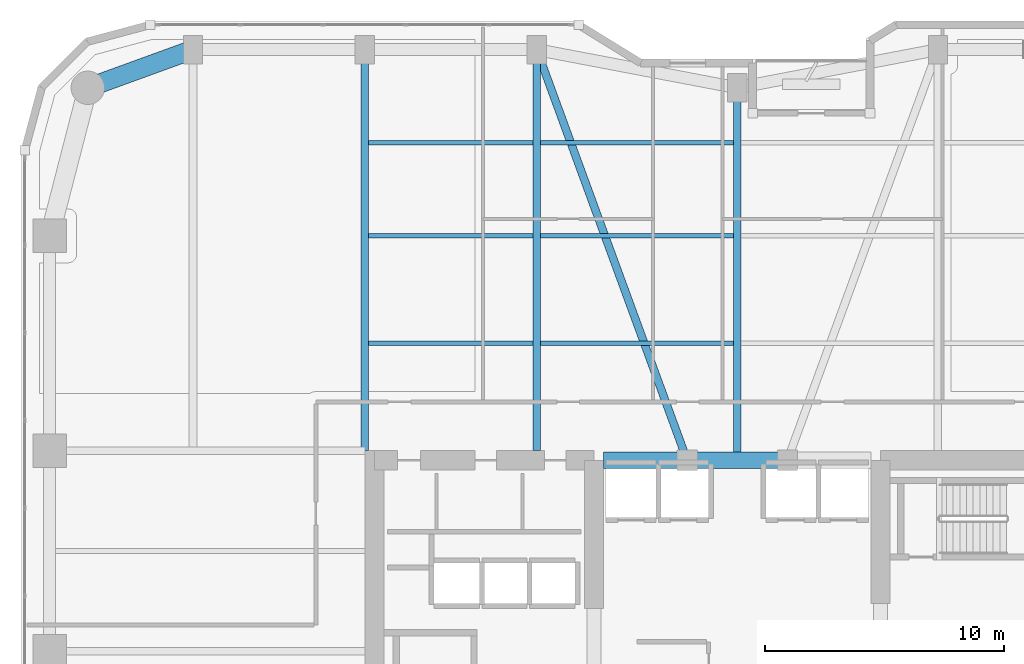
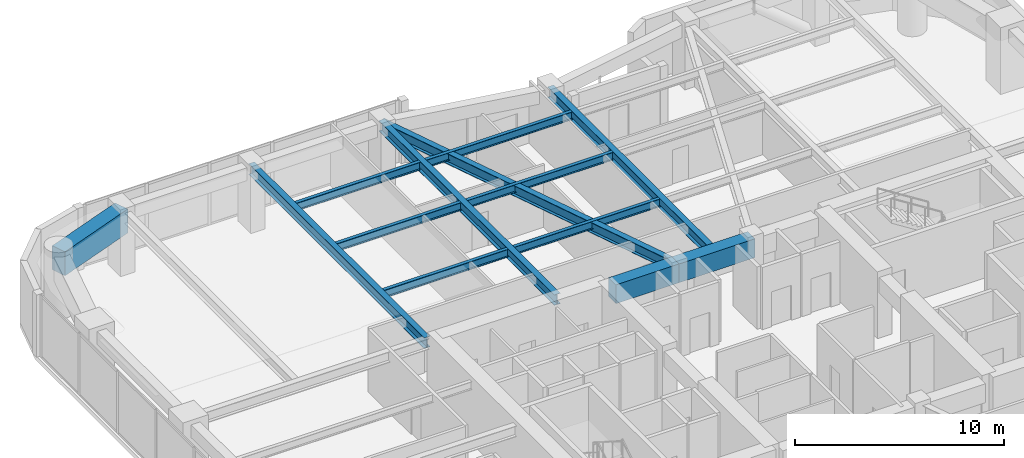
# One storey, part 12 of 24: 13 beams.
"""IFC4 building model written with IfcOpenShell, lengths in metres."""

from ifc_helpers import new_model, si_unit, direction, frame, origin, origin_2d, place, context, subcontext, project, spatial, rectangle, i_section, extrude, material, material_profile, profile_set, type_object, element, save


model = new_model("IFC4")

# Units and contexts
model_context = context("Model", 3, precision=1e-05, world=origin(), true_north=direction((0.0, 1.0)))
body_context = subcontext(model_context, "Body", "Model", "MODEL_VIEW")
ifc_project = project(units=[si_unit("LENGTHUNIT", "METRE"), si_unit("AREAUNIT", "SQUARE_METRE"), si_unit("VOLUMEUNIT", "CUBIC_METRE"), si_unit("PLANEANGLEUNIT", "RADIAN"), si_unit("MASSUNIT", "GRAM", prefix="KILO")], contexts=[model_context])

# Site, building, storey
site_placement = place(None, origin())
site = spatial("IfcSite", under=ifc_project, at=site_placement, CompositionType="ELEMENT")
building_placement = place(site_placement, origin())
building = spatial("IfcBuilding", under=site, at=building_placement, Name="Kiyonajd Concourse Tower", CompositionType="ELEMENT")
storey_placement = place(building_placement, frame((0.0, 0.0, 133.800048828125)))
storey = spatial("IfcBuildingStorey", under=building, at=storey_placement, Name="L34", CompositionType="ELEMENT", Elevation=133.800048828125)

# Beams
ifc_material_1 = material(Name="Concrete C70/85", Category="concrete")
ifc_material_profile_1 = material_profile(ifc_material_1, rectangle(XDim=0.699951171875, YDim=1.10009765625, at=origin_2d()), Name="RCBM-700x1100")
ifc_profile_set_1 = profile_set([ifc_material_profile_1], Name="Concrete C70/85")
beam_type_1 = type_object("IfcBeamType", Name="BM-COUP-1100", PredefinedType="LINTEL", material=ifc_profile_set_1)
beam_1_placement = place(storey_placement, frame((42.39990234375, 44.0, 3.08984375), z_axis=(1.0, 0.0, 0.0), x_axis=(0.0, 1.0, 0.0)))
element("IfcBeam", 1, at=beam_1_placement, inside=storey, type_object=beam_type_1, Name="L34 Core Coupling Beam N1", PredefinedType="LINTEL", context=body_context, shape_type="SweptSolid", body=[
    extrude(rectangle(XDim=0.699951171875, YDim=1.10009765625, at=origin_2d()), origin(), (0.0, 0.0, 1.0), 3.5),
])
beam_2_placement = place(storey_placement, frame((45.89990234375, 44.0, 3.08984375), z_axis=(1.0, 0.0, 0.0), x_axis=(0.0, 1.0, 0.0)))
element("IfcBeam", 2, at=beam_2_placement, inside=storey, type_object=beam_type_1, Name="L34 Core Coupling Beam N2", PredefinedType="LINTEL", context=body_context, shape_type="SweptSolid", body=[
    extrude(rectangle(XDim=0.699951171875, YDim=1.10009765625, at=origin_2d()), origin(), (0.0, 0.0, 1.0), 4.2001953125),
])
ifc_material_2 = material(Name="Steel ASTM A992 Grade 50", Category="steel")
ifc_material_profile_2 = material_profile(ifc_material_2, i_section(OverallWidth=0.19189453125, OverallDepth=0.462890625, WebThickness=0.010498046875, FlangeThickness=0.017578125, at=origin_2d()), Name="W460X89")
ifc_profile_set_2 = profile_set([ifc_material_profile_2], Name="Steel ASTM A992 Grade 50")
beam_type_2 = type_object("IfcBeamType", Name="BM-JST-460B", PredefinedType="JOIST", material=ifc_profile_set_2)
beam_3_placement = place(storey_placement, frame((32.5634765625, 48.89990234375, 3.408447265625), z_axis=(1.0, 0.0, 0.0), x_axis=(0.0, 1.0, 0.0)))
element("IfcBeam", 3, at=beam_3_placement, inside=storey, type_object=beam_type_2, Name="L34 Secondary Floor Joist", PredefinedType="JOIST", context=body_context, shape_type="SweptSolid", body=[
    extrude(i_section(OverallWidth=0.19189453125, OverallDepth=0.462890625, WebThickness=0.010498046875, FlangeThickness=0.017578125, at=origin_2d()), origin(), (0.0, 0.0, 1.0), 6.873046875),
])
beam_4_placement = place(storey_placement, frame((39.763427734375, 48.89990234375, 3.408447265625), z_axis=(1.0, 0.0, 0.0), x_axis=(0.0, 1.0, 0.0)))
element("IfcBeam", 4, at=beam_4_placement, inside=storey, type_object=beam_type_2, Name="L34 Secondary Floor Joist", PredefinedType="JOIST", context=body_context, shape_type="SweptSolid", body=[
    extrude(i_section(OverallWidth=0.19189453125, OverallDepth=0.462890625, WebThickness=0.010498046875, FlangeThickness=0.017578125, at=origin_2d()), origin(), (0.0, 0.0, 1.0), 8.072998046875),
])
beam_5_placement = place(storey_placement, frame((32.5634765625, 53.39990234375, 3.408447265625), z_axis=(1.0, 0.0, 0.0), x_axis=(0.0, 1.0, 0.0)))
element("IfcBeam", 5, at=beam_5_placement, inside=storey, type_object=beam_type_2, Name="L34 Secondary Floor Joist", PredefinedType="JOIST", context=body_context, shape_type="SweptSolid", body=[
    extrude(i_section(OverallWidth=0.19189453125, OverallDepth=0.462890625, WebThickness=0.010498046875, FlangeThickness=0.017578125, at=origin_2d()), origin(), (0.0, 0.0, 1.0), 6.873046875),
])
beam_6_placement = place(storey_placement, frame((39.763427734375, 53.39990234375, 3.408447265625), z_axis=(1.0, 0.0, 0.0), x_axis=(0.0, 1.0, 0.0)))
element("IfcBeam", 6, at=beam_6_placement, inside=storey, type_object=beam_type_2, Name="L34 Secondary Floor Joist", PredefinedType="JOIST", context=body_context, shape_type="SweptSolid", body=[
    extrude(i_section(OverallWidth=0.19189453125, OverallDepth=0.462890625, WebThickness=0.010498046875, FlangeThickness=0.017578125, at=origin_2d()), origin(), (0.0, 0.0, 1.0), 8.072998046875),
])
beam_7_placement = place(storey_placement, frame((32.5634765625, 57.300048828125, 3.408447265625), z_axis=(1.0, 0.0, 0.0), x_axis=(0.0, 1.0, 0.0)))
element("IfcBeam", 7, at=beam_7_placement, inside=storey, type_object=beam_type_2, Name="L34 Secondary Floor Joist", PredefinedType="JOIST", context=body_context, shape_type="SweptSolid", body=[
    extrude(i_section(OverallWidth=0.19189453125, OverallDepth=0.462890625, WebThickness=0.010498046875, FlangeThickness=0.017578125, at=origin_2d()), origin(), (0.0, 0.0, 1.0), 6.873046875),
])
beam_8_placement = place(storey_placement, frame((39.763427734375, 57.300048828125, 3.408447265625), z_axis=(1.0, 0.0, 0.0), x_axis=(0.0, 1.0, 0.0)))
element("IfcBeam", 8, at=beam_8_placement, inside=storey, type_object=beam_type_2, Name="L34 Secondary Floor Joist", PredefinedType="JOIST", context=body_context, shape_type="SweptSolid", body=[
    extrude(i_section(OverallWidth=0.19189453125, OverallDepth=0.462890625, WebThickness=0.010498046875, FlangeThickness=0.017578125, at=origin_2d()), origin(), (0.0, 0.0, 1.0), 8.072998046875),
])
ifc_material_profile_3 = material_profile(ifc_material_2, i_section(OverallWidth=0.326904296875, OverallDepth=0.6220703125, WebThickness=0.015380859375, FlangeThickness=0.0244140625, at=origin_2d()), Name="W610X195")
ifc_profile_set_3 = profile_set([ifc_material_profile_3], Name="Steel ASTM A992 Grade 50")
beam_type_3 = type_object("IfcBeamType", Name="BM-TWR-610A", PredefinedType="BEAM", material=ifc_profile_set_3)
beam_9_placement = place(storey_placement, frame((39.60009765625, 61.199951171875, 3.328857421875), z_axis=(0.343925269715, -0.938997022813, 0.0), x_axis=(0.938997022813, 0.343925269715, 0.0)))
element("IfcBeam", 9, at=beam_9_placement, inside=storey, type_object=beam_type_3, Name="L34 Core Tie Girder", PredefinedType="BEAM", context=body_context, shape_type="SweptSolid", body=[
    extrude(i_section(OverallWidth=0.326904296875, OverallDepth=0.6220703125, WebThickness=0.015380859375, FlangeThickness=0.0244140625, at=origin_2d()), origin(), (0.0, 0.0, 1.0), 18.3173828125),
])
for number, where, z_axis, x_axis, name in (
    (10, (32.39990234375, 44.39990234375, 3.328857421875), (0.0, 1.0, 0.0), (-1.0, 0.0, 0.0), "L34 North Lease Girder"),
    (11, (39.60009765625, 44.39990234375, 3.328857421875), (0.0, 1.0, 0.0), (-1.0, 0.0, 0.0), "L34 North Lease Girder"),
):
    element("IfcBeam", number, at=place(storey_placement, frame(where, z_axis=z_axis, x_axis=x_axis)), inside=storey, type_object=beam_type_3, Name=name, PredefinedType="BEAM", context=body_context, shape_type="SweptSolid", body=[
        extrude(i_section(OverallWidth=0.326904296875, OverallDepth=0.6220703125, WebThickness=0.015380859375, FlangeThickness=0.0244140625, at=origin_2d()), origin(), (0.0, 0.0, 1.0), 16.800048828125),
    ])
beam_10_placement = place(storey_placement, frame((48.0, 44.0, 3.328857421875), z_axis=(0.0, 1.0, 0.0), x_axis=(-1.0, 0.0, 0.0)))
element("IfcBeam", 12, at=beam_10_placement, inside=storey, type_object=beam_type_3, Name="L34 North Ribbon Girder", PredefinedType="BEAM", context=body_context, shape_type="SweptSolid", body=[
    extrude(i_section(OverallWidth=0.326904296875, OverallDepth=0.6220703125, WebThickness=0.015380859375, FlangeThickness=0.0244140625, at=origin_2d()), origin(), (0.0, 0.0, 1.0), 15.60009765625),
])
ifc_material_3 = material(Name="Concrete C60/75", Category="concrete")
ifc_material_profile_4 = material_profile(ifc_material_3, rectangle(XDim=0.800048828125, YDim=1.39990234375, at=origin_2d()), Name="RCBM-800x1400")
ifc_profile_set_4 = profile_set([ifc_material_profile_4], Name="Concrete C60/75")
beam_type_4 = type_object("IfcBeamType", Name="BM-XFER-RC", PredefinedType="BEAM", material=ifc_profile_set_4)
beam_11_placement = place(storey_placement, frame((25.199951171875, 61.199951171875, 2.93994140625), z_axis=(-0.939801036019, -0.341722127901, 0.0), x_axis=(0.341722127901, -0.939801036019, 0.0)))
element("IfcBeam", 13, at=beam_11_placement, inside=storey, type_object=beam_type_4, Name="L34 Perimeter Bundled Tube Spandrel", PredefinedType="BEAM", context=body_context, shape_type="SweptSolid", body=[
    extrude(rectangle(XDim=0.800048828125, YDim=1.39990234375, at=origin_2d()), origin(), (0.0, 0.0, 1.0), 4.681640625),
])

save(model, "model.ifc")
